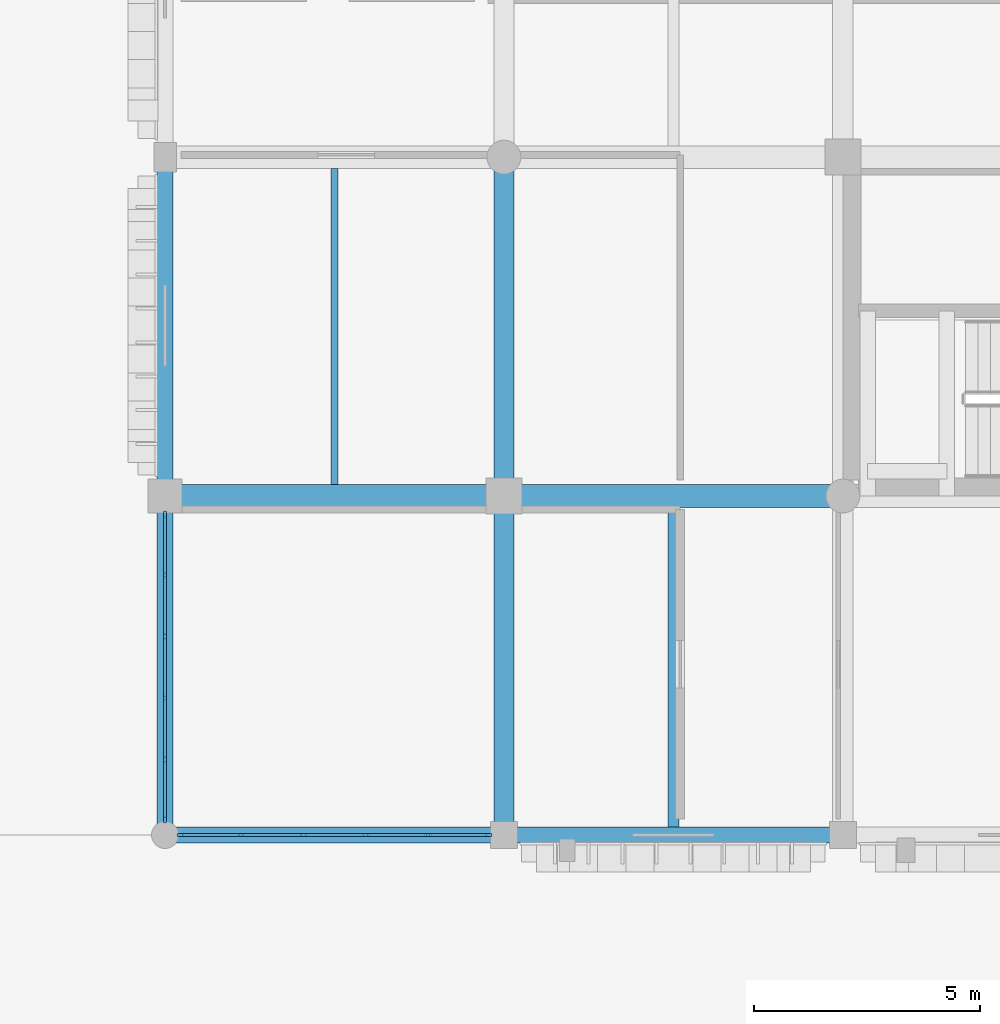
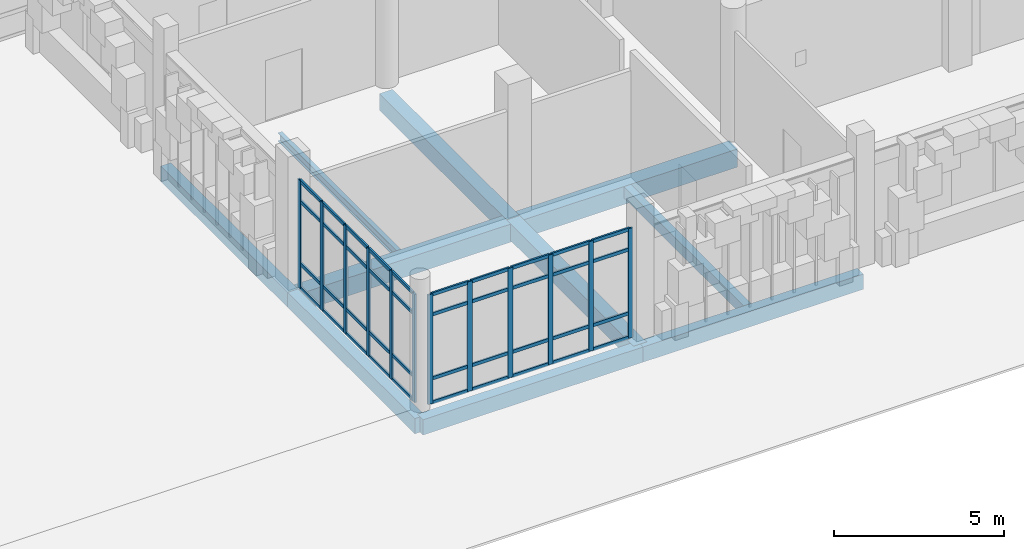
# One storey, part 31 of 125: 52 members, 10 beams, 2 elements without a shape of their own.
"""IFC4 building model written with IfcOpenShell, lengths in metres."""

from ifc_helpers import new_model, si_unit, direction, frame, origin, origin_2d, place, context, subcontext, project, spatial, rectangle, i_section, extrude, material, layer, layer_set, material_profile, profile_set, type_object, element, aggregate, save


model = new_model("IFC4")

# Units and contexts
model_context = context("Model", 3, precision=1e-05, world=origin(), true_north=direction((0.0, 1.0)))
body_context = subcontext(model_context, "Body", "Model", "MODEL_VIEW")
ifc_project = project(units=[si_unit("LENGTHUNIT", "METRE"), si_unit("AREAUNIT", "SQUARE_METRE"), si_unit("VOLUMEUNIT", "CUBIC_METRE"), si_unit("PLANEANGLEUNIT", "RADIAN"), si_unit("MASSUNIT", "GRAM", prefix="KILO")], contexts=[model_context])

# Site, building, storey
site_placement = place(None, origin())
site = spatial("IfcSite", under=ifc_project, at=site_placement, CompositionType="ELEMENT")
building_placement = place(site_placement, origin())
building = spatial("IfcBuilding", under=site, at=building_placement, Name="Dalvernix Boulevard General Hospital", CompositionType="ELEMENT")
storey_placement = place(building_placement, origin())
storey = spatial("IfcBuildingStorey", under=building, at=storey_placement, Name="L00", CompositionType="ELEMENT", Elevation=0.0)

# Beams
ifc_material_1 = material(Name="Concrete C35/45", Category="concrete")
ifc_material_profile_1 = material_profile(ifc_material_1, rectangle(XDim=0.5, YDim=0.64990234375, at=origin_2d()), Name="RCB 500x650")
ifc_profile_set_1 = profile_set([ifc_material_profile_1], Name="Concrete C35/45")
beam_type_1 = type_object("IfcBeamType", Name="BM-B-02-I", PredefinedType="BEAM", material=ifc_profile_set_1)
for number, where, z_axis, x_axis, name in (
    (1, (112.5, 7.5, -0.68505859375), (1.0, 0.0, 0.0), (0.0, 1.0, 0.0), "L00 E-W girder B:16-17"),
    (2, (120.0, 7.5, -0.68505859375), (1.0, 0.0, 0.0), (0.0, 1.0, 0.0), "L00 E-W girder B:17-18"),
):
    element("IfcBeam", number, at=place(storey_placement, frame(where, z_axis=z_axis, x_axis=x_axis)), inside=storey, type_object=beam_type_1, Name=name, PredefinedType="BEAM", context=body_context, shape_type="SweptSolid", body=[
        extrude(rectangle(XDim=0.5, YDim=0.64990234375, at=origin_2d()), origin(), (0.0, 0.0, 1.0), 7.5),
    ])
ifc_material_profile_2 = material_profile(ifc_material_1, rectangle(XDim=0.449951171875, YDim=0.60009765625, at=origin_2d()), Name="RCB 450x600")
ifc_profile_set_2 = profile_set([ifc_material_profile_2], Name="Concrete C35/45")
beam_type_2 = type_object("IfcBeamType", Name="BM-B-04-I", PredefinedType="BEAM", material=ifc_profile_set_2)
for number, where, z_axis, x_axis, name in (
    (3, (120.0, 0.0, -0.659912109375), (0.0, 1.0, 0.0), (-1.0, 0.0, 0.0), "L00 N-S girder 17:A-B"),
    (4, (120.0, 7.5, -0.659912109375), (0.0, 1.0, 0.0), (-1.0, 0.0, 0.0), "L00 N-S girder 17:B-C"),
):
    element("IfcBeam", number, at=place(storey_placement, frame(where, z_axis=z_axis, x_axis=x_axis)), inside=storey, type_object=beam_type_2, Name=name, PredefinedType="BEAM", context=body_context, shape_type="SweptSolid", body=[
        extrude(rectangle(XDim=0.449951171875, YDim=0.60009765625, at=origin_2d()), origin(), (0.0, 0.0, 1.0), 7.5),
    ])
ifc_material_profile_3 = material_profile(ifc_material_1, rectangle(XDim=0.25, YDim=0.39990234375, at=origin_2d()), Name="RCB 250x400")
ifc_profile_set_3 = profile_set([ifc_material_profile_3], Name="Concrete C35/45")
beam_type_3 = type_object("IfcBeamType", Name="BM-JB-02", PredefinedType="JOIST", material=ifc_profile_set_3)
beam_1_placement = place(storey_placement, frame((123.75, 0.175048828125, -0.56005859375), z_axis=(0.0, 1.0, 0.0), x_axis=(-1.0, 0.0, 0.0)))
element("IfcBeam", 5, at=beam_1_placement, inside=storey, type_object=beam_type_3, Name="L00 secondary floor beam 17-A", PredefinedType="JOIST", context=body_context, shape_type="SweptSolid", body=[
    extrude(rectangle(XDim=0.25, YDim=0.39990234375, at=origin_2d()), origin(), (0.0, 0.0, 1.0), 7.074951171875),
])
ifc_material_2 = material(Name="Steel S355", Category="steel")
ifc_material_profile_4 = material_profile(ifc_material_2, i_section(OverallWidth=0.14990234375, OverallDepth=0.300048828125, WebThickness=0.007080078125, FlangeThickness=0.0107421875, FilletRadius=0.014892578125, at=origin_2d()), Name="IPE 300")
ifc_profile_set_4 = profile_set([ifc_material_profile_4], Name="Steel S355")
beam_type_4 = type_object("IfcBeamType", Name="BM-JB-03", PredefinedType="JOIST", material=ifc_profile_set_4)
beam_2_placement = place(storey_placement, frame((116.25, 7.75, -0.510009765625), z_axis=(0.0, 1.0, 0.0), x_axis=(-1.0, 0.0, 0.0)))
element("IfcBeam", 6, at=beam_2_placement, inside=storey, type_object=beam_type_4, Name="L00 secondary floor beam 16-B", PredefinedType="JOIST", context=body_context, shape_type="SweptSolid", body=[
    extrude(i_section(OverallWidth=0.14990234375, OverallDepth=0.300048828125, WebThickness=0.007080078125, FlangeThickness=0.0107421875, FilletRadius=0.014892578125, at=origin_2d()), origin(), (0.0, 0.0, 1.0), 7.0),
])
ifc_material_profile_5 = material_profile(ifc_material_1, rectangle(XDim=0.35009765625, YDim=0.550048828125, at=origin_2d()), Name="RCB 350x550")
ifc_profile_set_5 = profile_set([ifc_material_profile_5], Name="Concrete C35/45")
beam_type_5 = type_object("IfcBeamType", Name="BM-SB-01-E", PredefinedType="SPANDREL", material=ifc_profile_set_5)
for number, where, z_axis, x_axis, name in (
    (7, (112.5, 0.0, -0.635009765625), (1.0, 0.0, 0.0), (0.0, 1.0, 0.0), "L00 E-W girder A:16-17"),
    (8, (120.0, 0.0, -0.635009765625), (1.0, 0.0, 0.0), (0.0, 1.0, 0.0), "L00 E-W girder A:17-18"),
    (9, (112.5, 0.0, -0.635009765625), (0.0, 1.0, 0.0), (-1.0, 0.0, 0.0), "L00 N-S girder 16:A-B"),
    (10, (112.5, 7.5, -0.635009765625), (0.0, 1.0, 0.0), (-1.0, 0.0, 0.0), "L00 N-S girder 16:B-C"),
):
    element("IfcBeam", number, at=place(storey_placement, frame(where, z_axis=z_axis, x_axis=x_axis)), inside=storey, type_object=beam_type_5, Name=name, PredefinedType="SPANDREL", context=body_context, shape_type="SweptSolid", body=[
        extrude(rectangle(XDim=0.35009765625, YDim=0.550048828125, at=origin_2d()), origin(), (0.0, 0.0, 1.0), 7.5),
    ])

# Curtain wall, members
ifc_material_3 = material(Name="Thermally broken aluminium and solar-control glass curtain wall", Category="aluminium")
ifc_layer_1 = layer(ifc_material_3, 0.159912109375)
ifc_layer_set_1 = layer_set([ifc_layer_1], Name="Thermally broken aluminium and solar-control glass curtain wall (CW-CW-A-69x40)")
curtain_wall_type_1 = type_object("IfcCurtainWallType", Name="CW-CW-A-69x40", PredefinedType="USERDEFINED", material=ifc_layer_set_1)
curtain_wall_1_placement = place(storey_placement, origin())
curtain_wall_1 = element("IfcCurtainWall", 11, at=curtain_wall_1_placement, inside=storey, type_object=curtain_wall_type_1, Name="L00 curtain wall CW-A-69x40 15-0", ObjectType="GLAZED FACADE", PredefinedType="USERDEFINED")
ifc_material_4 = material(Name="Aluminium EN AW-6060", Category="aluminium")
ifc_material_profile_6 = material_profile(ifc_material_4, rectangle(XDim=0.06005859375, YDim=0.159912109375, at=origin_2d()), Name="ALU MULL 60x160")
ifc_profile_set_6 = profile_set([ifc_material_profile_6], Name="Aluminium EN AW-6060")
member_type_1 = type_object("IfcMemberType", Name="MEM-CW-M1", PredefinedType="MULLION", material=ifc_profile_set_6)
member_1_placement = place(storey_placement, frame((119.659912109375, 0.0, 0.0), z_axis=(0.0, 0.0, 1.0), x_axis=(0.0, -1.0, 0.0)))
member_1 = element("IfcMember", 12, at=member_1_placement, type_object=member_type_1, Name="CW-A-69x40 mullion 1", PredefinedType="MULLION", context=body_context, shape_type="SweptSolid", body=[
    extrude(rectangle(XDim=0.06005859375, YDim=0.159912109375, at=origin_2d()), origin(), (0.0, 0.0, 1.0), 3.949951171875),
])
member_2_placement = place(storey_placement, frame((118.31396484375, 0.0, 0.0), z_axis=(0.0, 0.0, 1.0), x_axis=(0.0, -1.0, 0.0)))
member_2 = element("IfcMember", 13, at=member_2_placement, type_object=member_type_1, Name="CW-A-69x40 mullion 2", PredefinedType="MULLION", context=body_context, shape_type="SweptSolid", body=[
    extrude(rectangle(XDim=0.06005859375, YDim=0.159912109375, at=origin_2d()), origin(), (0.0, 0.0, 1.0), 3.949951171875),
])
member_3_placement = place(storey_placement, frame((116.93798828125, 0.0, 0.0), z_axis=(0.0, 0.0, 1.0), x_axis=(0.0, -1.0, 0.0)))
member_3 = element("IfcMember", 14, at=member_3_placement, type_object=member_type_1, Name="CW-A-69x40 mullion 3", PredefinedType="MULLION", context=body_context, shape_type="SweptSolid", body=[
    extrude(rectangle(XDim=0.06005859375, YDim=0.159912109375, at=origin_2d()), origin(), (0.0, 0.0, 1.0), 3.949951171875),
])
member_4_placement = place(storey_placement, frame((115.56201171875, 0.0, 0.0), z_axis=(0.0, 0.0, 1.0), x_axis=(0.0, -1.0, 0.0)))
member_4 = element("IfcMember", 15, at=member_4_placement, type_object=member_type_1, Name="CW-A-69x40 mullion 4", PredefinedType="MULLION", context=body_context, shape_type="SweptSolid", body=[
    extrude(rectangle(XDim=0.06005859375, YDim=0.159912109375, at=origin_2d()), origin(), (0.0, 0.0, 1.0), 3.949951171875),
])
member_5_placement = place(storey_placement, frame((114.18603515625, 0.0, 0.0), z_axis=(0.0, 0.0, 1.0), x_axis=(0.0, -1.0, 0.0)))
member_5 = element("IfcMember", 16, at=member_5_placement, type_object=member_type_1, Name="CW-A-69x40 mullion 5", PredefinedType="MULLION", context=body_context, shape_type="SweptSolid", body=[
    extrude(rectangle(XDim=0.06005859375, YDim=0.159912109375, at=origin_2d()), origin(), (0.0, 0.0, 1.0), 3.949951171875),
])
member_6_placement = place(storey_placement, frame((112.840087890625, 0.0, 0.0), z_axis=(0.0, 0.0, 1.0), x_axis=(0.0, -1.0, 0.0)))
member_6 = element("IfcMember", 17, at=member_6_placement, type_object=member_type_1, Name="CW-A-69x40 mullion 6", PredefinedType="MULLION", context=body_context, shape_type="SweptSolid", body=[
    extrude(rectangle(XDim=0.06005859375, YDim=0.159912109375, at=origin_2d()), origin(), (0.0, 0.0, 1.0), 3.949951171875),
])

ifc_layer_2 = layer(ifc_material_3, 0.159912109375)
ifc_layer_set_2 = layer_set([ifc_layer_2], Name="Thermally broken aluminium and solar-control glass curtain wall (CW-CW-A-68x39)")
curtain_wall_type_2 = type_object("IfcCurtainWallType", Name="CW-CW-A-68x39", PredefinedType="USERDEFINED", material=ifc_layer_set_2)
curtain_wall_2_placement = place(storey_placement, origin())
curtain_wall_2 = element("IfcCurtainWall", 18, at=curtain_wall_2_placement, inside=storey, type_object=curtain_wall_type_2, Name="L00 curtain wall CW-A-68x39 15-0", ObjectType="GLAZED FACADE", PredefinedType="USERDEFINED")
member_7_placement = place(storey_placement, frame((112.5, 0.340087890625, 0.0), z_axis=(0.0, 0.0, 1.0), x_axis=(-1.0, 0.0, 0.0)))
member_7 = element("IfcMember", 19, at=member_7_placement, type_object=member_type_1, Name="CW-A-68x39 mullion 1", PredefinedType="MULLION", context=body_context, shape_type="SweptSolid", body=[
    extrude(rectangle(XDim=0.06005859375, YDim=0.159912109375, at=origin_2d()), origin(), (0.0, 0.0, 1.0), 3.89990234375),
])
member_8_placement = place(storey_placement, frame((112.5, 1.6708984375, 0.0), z_axis=(0.0, 0.0, 1.0), x_axis=(-1.0, 0.0, 0.0)))
member_8 = element("IfcMember", 20, at=member_8_placement, type_object=member_type_1, Name="CW-A-68x39 mullion 2", PredefinedType="MULLION", context=body_context, shape_type="SweptSolid", body=[
    extrude(rectangle(XDim=0.06005859375, YDim=0.159912109375, at=origin_2d()), origin(), (0.0, 0.0, 1.0), 3.89990234375),
])
member_9_placement = place(storey_placement, frame((112.5, 3.031982421875, 0.0), z_axis=(0.0, 0.0, 1.0), x_axis=(-1.0, 0.0, 0.0)))
member_9 = element("IfcMember", 21, at=member_9_placement, type_object=member_type_1, Name="CW-A-68x39 mullion 3", PredefinedType="MULLION", context=body_context, shape_type="SweptSolid", body=[
    extrude(rectangle(XDim=0.06005859375, YDim=0.159912109375, at=origin_2d()), origin(), (0.0, 0.0, 1.0), 3.89990234375),
])
member_10_placement = place(storey_placement, frame((112.5, 4.39306640625, 0.0), z_axis=(0.0, 0.0, 1.0), x_axis=(-1.0, 0.0, 0.0)))
member_10 = element("IfcMember", 22, at=member_10_placement, type_object=member_type_1, Name="CW-A-68x39 mullion 4", PredefinedType="MULLION", context=body_context, shape_type="SweptSolid", body=[
    extrude(rectangle(XDim=0.06005859375, YDim=0.159912109375, at=origin_2d()), origin(), (0.0, 0.0, 1.0), 3.89990234375),
])
member_11_placement = place(storey_placement, frame((112.5, 5.75390625, 0.0), z_axis=(0.0, 0.0, 1.0), x_axis=(-1.0, 0.0, 0.0)))
member_11 = element("IfcMember", 23, at=member_11_placement, type_object=member_type_1, Name="CW-A-68x39 mullion 5", PredefinedType="MULLION", context=body_context, shape_type="SweptSolid", body=[
    extrude(rectangle(XDim=0.06005859375, YDim=0.159912109375, at=origin_2d()), origin(), (0.0, 0.0, 1.0), 3.89990234375),
])
member_12_placement = place(storey_placement, frame((112.5, 7.0849609375, 0.0), z_axis=(0.0, 0.0, 1.0), x_axis=(-1.0, 0.0, 0.0)))
member_12 = element("IfcMember", 24, at=member_12_placement, type_object=member_type_1, Name="CW-A-68x39 mullion 6", PredefinedType="MULLION", context=body_context, shape_type="SweptSolid", body=[
    extrude(rectangle(XDim=0.06005859375, YDim=0.159912109375, at=origin_2d()), origin(), (0.0, 0.0, 1.0), 3.89990234375),
])

# Member
ifc_material_profile_7 = material_profile(ifc_material_4, rectangle(XDim=0.06005859375, YDim=0.1201171875, at=origin_2d()), Name="ALU TRAN 60x120")
ifc_profile_set_7 = profile_set([ifc_material_profile_7], Name="Aluminium EN AW-6060")
member_type_2 = type_object("IfcMemberType", Name="MEM-CW-T1", PredefinedType="USERDEFINED", material=ifc_profile_set_7)
member_13_placement = place(storey_placement, frame((119.6298828125, 0.0, 0.030029296875), z_axis=(-1.0, 0.0, 0.0), x_axis=(0.0, -1.0, 0.0)))
member_13 = element("IfcMember", 25, at=member_13_placement, type_object=member_type_2, Name="CW-A-69x40 transom 1.1", ObjectType="TRANSOM", PredefinedType="USERDEFINED", context=body_context, shape_type="SweptSolid", body=[
    extrude(rectangle(XDim=0.06005859375, YDim=0.1201171875, at=origin_2d()), origin(), (0.0, 0.0, 1.0), 1.285888671875),
])

member_14_placement = place(storey_placement, frame((119.6298828125, 0.0, 0.89990234375), z_axis=(-1.0, 0.0, 0.0), x_axis=(0.0, -1.0, 0.0)))
member_14 = element("IfcMember", 26, at=member_14_placement, type_object=member_type_2, Name="CW-A-69x40 transom 1.2", ObjectType="TRANSOM", PredefinedType="USERDEFINED", context=body_context, shape_type="SweptSolid", body=[
    extrude(rectangle(XDim=0.06005859375, YDim=0.1201171875, at=origin_2d()), origin(), (0.0, 0.0, 1.0), 1.285888671875),
])

member_15_placement = place(storey_placement, frame((119.6298828125, 0.0, 3.199951171875), z_axis=(-1.0, 0.0, 0.0), x_axis=(0.0, -1.0, 0.0)))
member_15 = element("IfcMember", 27, at=member_15_placement, type_object=member_type_2, Name="CW-A-69x40 transom 1.3", ObjectType="TRANSOM", PredefinedType="USERDEFINED", context=body_context, shape_type="SweptSolid", body=[
    extrude(rectangle(XDim=0.06005859375, YDim=0.1201171875, at=origin_2d()), origin(), (0.0, 0.0, 1.0), 1.285888671875),
])

member_16_placement = place(storey_placement, frame((119.6298828125, 0.0, 3.919921875), z_axis=(-1.0, 0.0, 0.0), x_axis=(0.0, -1.0, 0.0)))
member_16 = element("IfcMember", 28, at=member_16_placement, type_object=member_type_2, Name="CW-A-69x40 transom 1.4", ObjectType="TRANSOM", PredefinedType="USERDEFINED", context=body_context, shape_type="SweptSolid", body=[
    extrude(rectangle(XDim=0.06005859375, YDim=0.1201171875, at=origin_2d()), origin(), (0.0, 0.0, 1.0), 1.285888671875),
])

member_17_placement = place(storey_placement, frame((118.283935546875, 0.0, 0.030029296875), z_axis=(-1.0, 0.0, 0.0), x_axis=(0.0, -1.0, 0.0)))
member_17 = element("IfcMember", 29, at=member_17_placement, type_object=member_type_2, Name="CW-A-69x40 transom 2.1", ObjectType="TRANSOM", PredefinedType="USERDEFINED", context=body_context, shape_type="SweptSolid", body=[
    extrude(rectangle(XDim=0.06005859375, YDim=0.1201171875, at=origin_2d()), origin(), (0.0, 0.0, 1.0), 1.31591796875),
])

member_18_placement = place(storey_placement, frame((118.283935546875, 0.0, 0.89990234375), z_axis=(-1.0, 0.0, 0.0), x_axis=(0.0, -1.0, 0.0)))
member_18 = element("IfcMember", 30, at=member_18_placement, type_object=member_type_2, Name="CW-A-69x40 transom 2.2", ObjectType="TRANSOM", PredefinedType="USERDEFINED", context=body_context, shape_type="SweptSolid", body=[
    extrude(rectangle(XDim=0.06005859375, YDim=0.1201171875, at=origin_2d()), origin(), (0.0, 0.0, 1.0), 1.31591796875),
])

member_19_placement = place(storey_placement, frame((118.283935546875, 0.0, 3.199951171875), z_axis=(-1.0, 0.0, 0.0), x_axis=(0.0, -1.0, 0.0)))
member_19 = element("IfcMember", 31, at=member_19_placement, type_object=member_type_2, Name="CW-A-69x40 transom 2.3", ObjectType="TRANSOM", PredefinedType="USERDEFINED", context=body_context, shape_type="SweptSolid", body=[
    extrude(rectangle(XDim=0.06005859375, YDim=0.1201171875, at=origin_2d()), origin(), (0.0, 0.0, 1.0), 1.31591796875),
])

member_20_placement = place(storey_placement, frame((118.283935546875, 0.0, 3.919921875), z_axis=(-1.0, 0.0, 0.0), x_axis=(0.0, -1.0, 0.0)))
member_20 = element("IfcMember", 32, at=member_20_placement, type_object=member_type_2, Name="CW-A-69x40 transom 2.4", ObjectType="TRANSOM", PredefinedType="USERDEFINED", context=body_context, shape_type="SweptSolid", body=[
    extrude(rectangle(XDim=0.06005859375, YDim=0.1201171875, at=origin_2d()), origin(), (0.0, 0.0, 1.0), 1.31591796875),
])

member_21_placement = place(storey_placement, frame((116.907958984375, 0.0, 0.030029296875), z_axis=(-1.0, 0.0, 0.0), x_axis=(0.0, -1.0, 0.0)))
member_21 = element("IfcMember", 33, at=member_21_placement, type_object=member_type_2, Name="CW-A-69x40 transom 3.1", ObjectType="TRANSOM", PredefinedType="USERDEFINED", context=body_context, shape_type="SweptSolid", body=[
    extrude(rectangle(XDim=0.06005859375, YDim=0.1201171875, at=origin_2d()), origin(), (0.0, 0.0, 1.0), 1.31591796875),
])

member_22_placement = place(storey_placement, frame((116.907958984375, 0.0, 0.89990234375), z_axis=(-1.0, 0.0, 0.0), x_axis=(0.0, -1.0, 0.0)))
member_22 = element("IfcMember", 34, at=member_22_placement, type_object=member_type_2, Name="CW-A-69x40 transom 3.2", ObjectType="TRANSOM", PredefinedType="USERDEFINED", context=body_context, shape_type="SweptSolid", body=[
    extrude(rectangle(XDim=0.06005859375, YDim=0.1201171875, at=origin_2d()), origin(), (0.0, 0.0, 1.0), 1.31591796875),
])

member_23_placement = place(storey_placement, frame((116.907958984375, 0.0, 3.199951171875), z_axis=(-1.0, 0.0, 0.0), x_axis=(0.0, -1.0, 0.0)))
member_23 = element("IfcMember", 35, at=member_23_placement, type_object=member_type_2, Name="CW-A-69x40 transom 3.3", ObjectType="TRANSOM", PredefinedType="USERDEFINED", context=body_context, shape_type="SweptSolid", body=[
    extrude(rectangle(XDim=0.06005859375, YDim=0.1201171875, at=origin_2d()), origin(), (0.0, 0.0, 1.0), 1.31591796875),
])

member_24_placement = place(storey_placement, frame((116.907958984375, 0.0, 3.919921875), z_axis=(-1.0, 0.0, 0.0), x_axis=(0.0, -1.0, 0.0)))
member_24 = element("IfcMember", 36, at=member_24_placement, type_object=member_type_2, Name="CW-A-69x40 transom 3.4", ObjectType="TRANSOM", PredefinedType="USERDEFINED", context=body_context, shape_type="SweptSolid", body=[
    extrude(rectangle(XDim=0.06005859375, YDim=0.1201171875, at=origin_2d()), origin(), (0.0, 0.0, 1.0), 1.31591796875),
])

member_25_placement = place(storey_placement, frame((115.531982421875, 0.0, 0.030029296875), z_axis=(-1.0, 0.0, 0.0), x_axis=(0.0, -1.0, 0.0)))
member_25 = element("IfcMember", 37, at=member_25_placement, type_object=member_type_2, Name="CW-A-69x40 transom 4.1", ObjectType="TRANSOM", PredefinedType="USERDEFINED", context=body_context, shape_type="SweptSolid", body=[
    extrude(rectangle(XDim=0.06005859375, YDim=0.1201171875, at=origin_2d()), origin(), (0.0, 0.0, 1.0), 1.31591796875),
])

member_26_placement = place(storey_placement, frame((115.531982421875, 0.0, 0.89990234375), z_axis=(-1.0, 0.0, 0.0), x_axis=(0.0, -1.0, 0.0)))
member_26 = element("IfcMember", 38, at=member_26_placement, type_object=member_type_2, Name="CW-A-69x40 transom 4.2", ObjectType="TRANSOM", PredefinedType="USERDEFINED", context=body_context, shape_type="SweptSolid", body=[
    extrude(rectangle(XDim=0.06005859375, YDim=0.1201171875, at=origin_2d()), origin(), (0.0, 0.0, 1.0), 1.31591796875),
])

member_27_placement = place(storey_placement, frame((115.531982421875, 0.0, 3.199951171875), z_axis=(-1.0, 0.0, 0.0), x_axis=(0.0, -1.0, 0.0)))
member_27 = element("IfcMember", 39, at=member_27_placement, type_object=member_type_2, Name="CW-A-69x40 transom 4.3", ObjectType="TRANSOM", PredefinedType="USERDEFINED", context=body_context, shape_type="SweptSolid", body=[
    extrude(rectangle(XDim=0.06005859375, YDim=0.1201171875, at=origin_2d()), origin(), (0.0, 0.0, 1.0), 1.31591796875),
])

member_28_placement = place(storey_placement, frame((115.531982421875, 0.0, 3.919921875), z_axis=(-1.0, 0.0, 0.0), x_axis=(0.0, -1.0, 0.0)))
member_28 = element("IfcMember", 40, at=member_28_placement, type_object=member_type_2, Name="CW-A-69x40 transom 4.4", ObjectType="TRANSOM", PredefinedType="USERDEFINED", context=body_context, shape_type="SweptSolid", body=[
    extrude(rectangle(XDim=0.06005859375, YDim=0.1201171875, at=origin_2d()), origin(), (0.0, 0.0, 1.0), 1.31591796875),
])

member_29_placement = place(storey_placement, frame((114.156005859375, 0.0, 0.030029296875), z_axis=(-1.0, 0.0, 0.0), x_axis=(0.0, -1.0, 0.0)))
member_29 = element("IfcMember", 41, at=member_29_placement, type_object=member_type_2, Name="CW-A-69x40 transom 5.1", ObjectType="TRANSOM", PredefinedType="USERDEFINED", context=body_context, shape_type="SweptSolid", body=[
    extrude(rectangle(XDim=0.06005859375, YDim=0.1201171875, at=origin_2d()), origin(), (0.0, 0.0, 1.0), 1.285888671875),
])

member_30_placement = place(storey_placement, frame((114.156005859375, 0.0, 0.89990234375), z_axis=(-1.0, 0.0, 0.0), x_axis=(0.0, -1.0, 0.0)))
member_30 = element("IfcMember", 42, at=member_30_placement, type_object=member_type_2, Name="CW-A-69x40 transom 5.2", ObjectType="TRANSOM", PredefinedType="USERDEFINED", context=body_context, shape_type="SweptSolid", body=[
    extrude(rectangle(XDim=0.06005859375, YDim=0.1201171875, at=origin_2d()), origin(), (0.0, 0.0, 1.0), 1.285888671875),
])

member_31_placement = place(storey_placement, frame((114.156005859375, 0.0, 3.199951171875), z_axis=(-1.0, 0.0, 0.0), x_axis=(0.0, -1.0, 0.0)))
member_31 = element("IfcMember", 43, at=member_31_placement, type_object=member_type_2, Name="CW-A-69x40 transom 5.3", ObjectType="TRANSOM", PredefinedType="USERDEFINED", context=body_context, shape_type="SweptSolid", body=[
    extrude(rectangle(XDim=0.06005859375, YDim=0.1201171875, at=origin_2d()), origin(), (0.0, 0.0, 1.0), 1.285888671875),
])

member_32_placement = place(storey_placement, frame((114.156005859375, 0.0, 3.919921875), z_axis=(-1.0, 0.0, 0.0), x_axis=(0.0, -1.0, 0.0)))
member_32 = element("IfcMember", 44, at=member_32_placement, type_object=member_type_2, Name="CW-A-69x40 transom 5.4", ObjectType="TRANSOM", PredefinedType="USERDEFINED", context=body_context, shape_type="SweptSolid", body=[
    extrude(rectangle(XDim=0.06005859375, YDim=0.1201171875, at=origin_2d()), origin(), (0.0, 0.0, 1.0), 1.285888671875),
])

aggregate(curtain_wall_1, [member_1, member_2, member_3, member_4, member_5, member_6, member_13, member_14, member_15, member_16, member_17, member_18, member_19, member_20, member_21, member_22, member_23, member_24, member_25, member_26, member_27, member_28, member_29, member_30, member_31, member_32])

member_33_placement = place(storey_placement, frame((112.5, 0.3701171875, 0.030029296875), z_axis=(0.0, 1.0, 0.0), x_axis=(-1.0, 0.0, 0.0)))
member_33 = element("IfcMember", 45, at=member_33_placement, type_object=member_type_2, Name="CW-A-68x39 transom 1.1", ObjectType="TRANSOM", PredefinedType="USERDEFINED", context=body_context, shape_type="SweptSolid", body=[
    extrude(rectangle(XDim=0.06005859375, YDim=0.1201171875, at=origin_2d()), origin(), (0.0, 0.0, 1.0), 1.27099609375),
])

member_34_placement = place(storey_placement, frame((112.5, 0.3701171875, 0.89990234375), z_axis=(0.0, 1.0, 0.0), x_axis=(-1.0, 0.0, 0.0)))
member_34 = element("IfcMember", 46, at=member_34_placement, type_object=member_type_2, Name="CW-A-68x39 transom 1.2", ObjectType="TRANSOM", PredefinedType="USERDEFINED", context=body_context, shape_type="SweptSolid", body=[
    extrude(rectangle(XDim=0.06005859375, YDim=0.1201171875, at=origin_2d()), origin(), (0.0, 0.0, 1.0), 1.27099609375),
])

member_35_placement = place(storey_placement, frame((112.5, 0.3701171875, 3.14990234375), z_axis=(0.0, 1.0, 0.0), x_axis=(-1.0, 0.0, 0.0)))
member_35 = element("IfcMember", 47, at=member_35_placement, type_object=member_type_2, Name="CW-A-68x39 transom 1.3", ObjectType="TRANSOM", PredefinedType="USERDEFINED", context=body_context, shape_type="SweptSolid", body=[
    extrude(rectangle(XDim=0.06005859375, YDim=0.1201171875, at=origin_2d()), origin(), (0.0, 0.0, 1.0), 1.27099609375),
])

member_36_placement = place(storey_placement, frame((112.5, 0.3701171875, 3.8701171875), z_axis=(0.0, 1.0, 0.0), x_axis=(-1.0, 0.0, 0.0)))
member_36 = element("IfcMember", 48, at=member_36_placement, type_object=member_type_2, Name="CW-A-68x39 transom 1.4", ObjectType="TRANSOM", PredefinedType="USERDEFINED", context=body_context, shape_type="SweptSolid", body=[
    extrude(rectangle(XDim=0.06005859375, YDim=0.1201171875, at=origin_2d()), origin(), (0.0, 0.0, 1.0), 1.27099609375),
])

member_37_placement = place(storey_placement, frame((112.5, 1.700927734375, 0.030029296875), z_axis=(0.0, 1.0, 0.0), x_axis=(-1.0, 0.0, 0.0)))
member_37 = element("IfcMember", 49, at=member_37_placement, type_object=member_type_2, Name="CW-A-68x39 transom 2.1", ObjectType="TRANSOM", PredefinedType="USERDEFINED", context=body_context, shape_type="SweptSolid", body=[
    extrude(rectangle(XDim=0.06005859375, YDim=0.1201171875, at=origin_2d()), origin(), (0.0, 0.0, 1.0), 1.301025390625),
])

member_38_placement = place(storey_placement, frame((112.5, 1.700927734375, 0.89990234375), z_axis=(0.0, 1.0, 0.0), x_axis=(-1.0, 0.0, 0.0)))
member_38 = element("IfcMember", 50, at=member_38_placement, type_object=member_type_2, Name="CW-A-68x39 transom 2.2", ObjectType="TRANSOM", PredefinedType="USERDEFINED", context=body_context, shape_type="SweptSolid", body=[
    extrude(rectangle(XDim=0.06005859375, YDim=0.1201171875, at=origin_2d()), origin(), (0.0, 0.0, 1.0), 1.301025390625),
])

member_39_placement = place(storey_placement, frame((112.5, 1.700927734375, 3.14990234375), z_axis=(0.0, 1.0, 0.0), x_axis=(-1.0, 0.0, 0.0)))
member_39 = element("IfcMember", 51, at=member_39_placement, type_object=member_type_2, Name="CW-A-68x39 transom 2.3", ObjectType="TRANSOM", PredefinedType="USERDEFINED", context=body_context, shape_type="SweptSolid", body=[
    extrude(rectangle(XDim=0.06005859375, YDim=0.1201171875, at=origin_2d()), origin(), (0.0, 0.0, 1.0), 1.301025390625),
])

member_40_placement = place(storey_placement, frame((112.5, 1.700927734375, 3.8701171875), z_axis=(0.0, 1.0, 0.0), x_axis=(-1.0, 0.0, 0.0)))
member_40 = element("IfcMember", 52, at=member_40_placement, type_object=member_type_2, Name="CW-A-68x39 transom 2.4", ObjectType="TRANSOM", PredefinedType="USERDEFINED", context=body_context, shape_type="SweptSolid", body=[
    extrude(rectangle(XDim=0.06005859375, YDim=0.1201171875, at=origin_2d()), origin(), (0.0, 0.0, 1.0), 1.301025390625),
])

member_41_placement = place(storey_placement, frame((112.5, 3.06201171875, 0.030029296875), z_axis=(0.0, 1.0, 0.0), x_axis=(-1.0, 0.0, 0.0)))
member_41 = element("IfcMember", 53, at=member_41_placement, type_object=member_type_2, Name="CW-A-68x39 transom 3.1", ObjectType="TRANSOM", PredefinedType="USERDEFINED", context=body_context, shape_type="SweptSolid", body=[
    extrude(rectangle(XDim=0.06005859375, YDim=0.1201171875, at=origin_2d()), origin(), (0.0, 0.0, 1.0), 1.301025390625),
])

member_42_placement = place(storey_placement, frame((112.5, 3.06201171875, 0.89990234375), z_axis=(0.0, 1.0, 0.0), x_axis=(-1.0, 0.0, 0.0)))
member_42 = element("IfcMember", 54, at=member_42_placement, type_object=member_type_2, Name="CW-A-68x39 transom 3.2", ObjectType="TRANSOM", PredefinedType="USERDEFINED", context=body_context, shape_type="SweptSolid", body=[
    extrude(rectangle(XDim=0.06005859375, YDim=0.1201171875, at=origin_2d()), origin(), (0.0, 0.0, 1.0), 1.301025390625),
])

member_43_placement = place(storey_placement, frame((112.5, 3.06201171875, 3.14990234375), z_axis=(0.0, 1.0, 0.0), x_axis=(-1.0, 0.0, 0.0)))
member_43 = element("IfcMember", 55, at=member_43_placement, type_object=member_type_2, Name="CW-A-68x39 transom 3.3", ObjectType="TRANSOM", PredefinedType="USERDEFINED", context=body_context, shape_type="SweptSolid", body=[
    extrude(rectangle(XDim=0.06005859375, YDim=0.1201171875, at=origin_2d()), origin(), (0.0, 0.0, 1.0), 1.301025390625),
])

member_44_placement = place(storey_placement, frame((112.5, 3.06201171875, 3.8701171875), z_axis=(0.0, 1.0, 0.0), x_axis=(-1.0, 0.0, 0.0)))
member_44 = element("IfcMember", 56, at=member_44_placement, type_object=member_type_2, Name="CW-A-68x39 transom 3.4", ObjectType="TRANSOM", PredefinedType="USERDEFINED", context=body_context, shape_type="SweptSolid", body=[
    extrude(rectangle(XDim=0.06005859375, YDim=0.1201171875, at=origin_2d()), origin(), (0.0, 0.0, 1.0), 1.301025390625),
])

member_45_placement = place(storey_placement, frame((112.5, 4.423095703125, 0.030029296875), z_axis=(0.0, 1.0, 0.0), x_axis=(-1.0, 0.0, 0.0)))
member_45 = element("IfcMember", 57, at=member_45_placement, type_object=member_type_2, Name="CW-A-68x39 transom 4.1", ObjectType="TRANSOM", PredefinedType="USERDEFINED", context=body_context, shape_type="SweptSolid", body=[
    extrude(rectangle(XDim=0.06005859375, YDim=0.1201171875, at=origin_2d()), origin(), (0.0, 0.0, 1.0), 1.301025390625),
])

member_46_placement = place(storey_placement, frame((112.5, 4.423095703125, 0.89990234375), z_axis=(0.0, 1.0, 0.0), x_axis=(-1.0, 0.0, 0.0)))
member_46 = element("IfcMember", 58, at=member_46_placement, type_object=member_type_2, Name="CW-A-68x39 transom 4.2", ObjectType="TRANSOM", PredefinedType="USERDEFINED", context=body_context, shape_type="SweptSolid", body=[
    extrude(rectangle(XDim=0.06005859375, YDim=0.1201171875, at=origin_2d()), origin(), (0.0, 0.0, 1.0), 1.301025390625),
])

member_47_placement = place(storey_placement, frame((112.5, 4.423095703125, 3.14990234375), z_axis=(0.0, 1.0, 0.0), x_axis=(-1.0, 0.0, 0.0)))
member_47 = element("IfcMember", 59, at=member_47_placement, type_object=member_type_2, Name="CW-A-68x39 transom 4.3", ObjectType="TRANSOM", PredefinedType="USERDEFINED", context=body_context, shape_type="SweptSolid", body=[
    extrude(rectangle(XDim=0.06005859375, YDim=0.1201171875, at=origin_2d()), origin(), (0.0, 0.0, 1.0), 1.301025390625),
])

member_48_placement = place(storey_placement, frame((112.5, 4.423095703125, 3.8701171875), z_axis=(0.0, 1.0, 0.0), x_axis=(-1.0, 0.0, 0.0)))
member_48 = element("IfcMember", 60, at=member_48_placement, type_object=member_type_2, Name="CW-A-68x39 transom 4.4", ObjectType="TRANSOM", PredefinedType="USERDEFINED", context=body_context, shape_type="SweptSolid", body=[
    extrude(rectangle(XDim=0.06005859375, YDim=0.1201171875, at=origin_2d()), origin(), (0.0, 0.0, 1.0), 1.301025390625),
])

member_49_placement = place(storey_placement, frame((112.5, 5.783935546875, 0.030029296875), z_axis=(0.0, 1.0, 0.0), x_axis=(-1.0, 0.0, 0.0)))
member_49 = element("IfcMember", 61, at=member_49_placement, type_object=member_type_2, Name="CW-A-68x39 transom 5.1", ObjectType="TRANSOM", PredefinedType="USERDEFINED", context=body_context, shape_type="SweptSolid", body=[
    extrude(rectangle(XDim=0.06005859375, YDim=0.1201171875, at=origin_2d()), origin(), (0.0, 0.0, 1.0), 1.27099609375),
])

member_50_placement = place(storey_placement, frame((112.5, 5.783935546875, 0.89990234375), z_axis=(0.0, 1.0, 0.0), x_axis=(-1.0, 0.0, 0.0)))
member_50 = element("IfcMember", 62, at=member_50_placement, type_object=member_type_2, Name="CW-A-68x39 transom 5.2", ObjectType="TRANSOM", PredefinedType="USERDEFINED", context=body_context, shape_type="SweptSolid", body=[
    extrude(rectangle(XDim=0.06005859375, YDim=0.1201171875, at=origin_2d()), origin(), (0.0, 0.0, 1.0), 1.27099609375),
])

member_51_placement = place(storey_placement, frame((112.5, 5.783935546875, 3.14990234375), z_axis=(0.0, 1.0, 0.0), x_axis=(-1.0, 0.0, 0.0)))
member_51 = element("IfcMember", 63, at=member_51_placement, type_object=member_type_2, Name="CW-A-68x39 transom 5.3", ObjectType="TRANSOM", PredefinedType="USERDEFINED", context=body_context, shape_type="SweptSolid", body=[
    extrude(rectangle(XDim=0.06005859375, YDim=0.1201171875, at=origin_2d()), origin(), (0.0, 0.0, 1.0), 1.27099609375),
])

member_52_placement = place(storey_placement, frame((112.5, 5.783935546875, 3.8701171875), z_axis=(0.0, 1.0, 0.0), x_axis=(-1.0, 0.0, 0.0)))
member_52 = element("IfcMember", 64, at=member_52_placement, type_object=member_type_2, Name="CW-A-68x39 transom 5.4", ObjectType="TRANSOM", PredefinedType="USERDEFINED", context=body_context, shape_type="SweptSolid", body=[
    extrude(rectangle(XDim=0.06005859375, YDim=0.1201171875, at=origin_2d()), origin(), (0.0, 0.0, 1.0), 1.27099609375),
])

aggregate(curtain_wall_2, [member_7, member_8, member_9, member_10, member_11, member_12, member_33, member_34, member_35, member_36, member_37, member_38, member_39, member_40, member_41, member_42, member_43, member_44, member_45, member_46, member_47, member_48, member_49, member_50, member_51, member_52])

save(model, "model.ifc")
